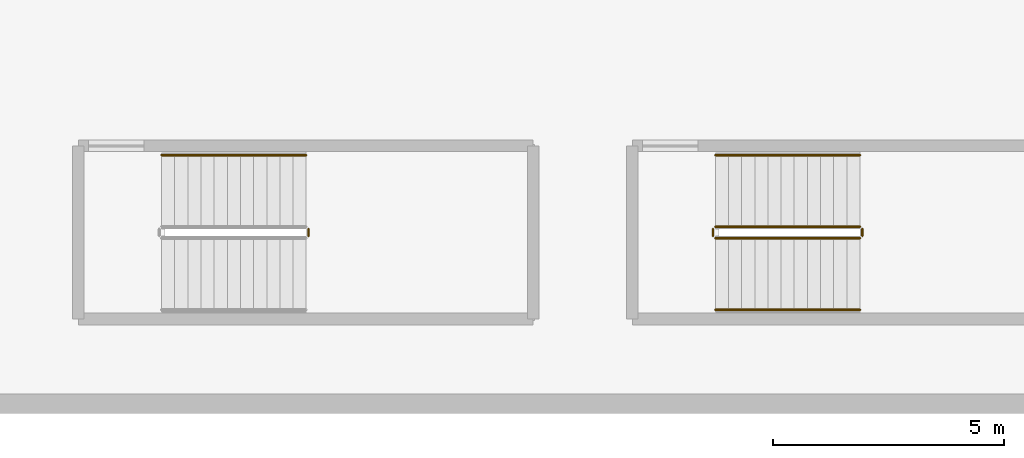
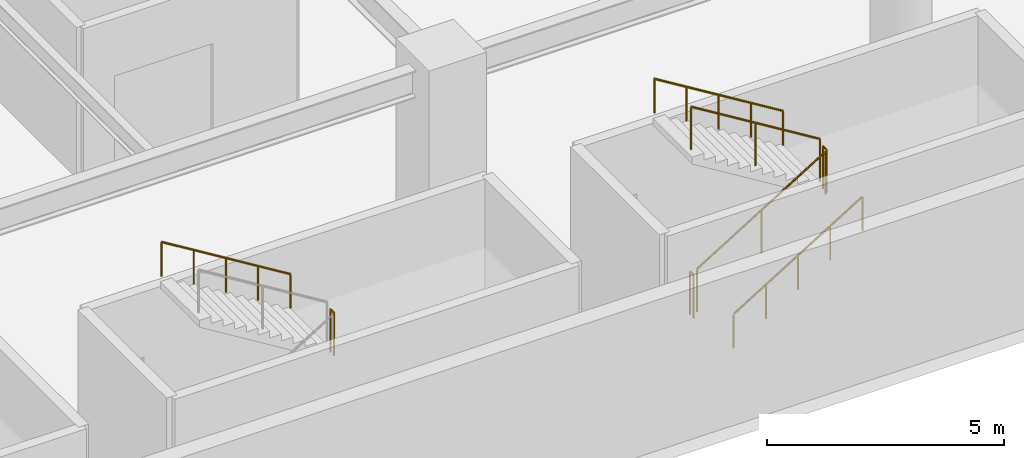
# One storey, part 20 of 25: 8 railings.
"""IFC4 building model written with IfcOpenShell, lengths in metres."""

from ifc_helpers import new_model, si_unit, direction, frame, origin, origin_2d, place, context, subcontext, project, spatial, circle, extrude, material, type_object, element, save


model = new_model("IFC4")

# Units and contexts
model_context = context("Model", 3, precision=1e-05, world=origin(), true_north=direction((0.0, 1.0)))
body_context = subcontext(model_context, "Body", "Model", "MODEL_VIEW")
ifc_project = project(units=[si_unit("LENGTHUNIT", "METRE"), si_unit("AREAUNIT", "SQUARE_METRE"), si_unit("VOLUMEUNIT", "CUBIC_METRE"), si_unit("PLANEANGLEUNIT", "RADIAN"), si_unit("MASSUNIT", "GRAM", prefix="KILO")], contexts=[model_context])

# Site, building, storey
site_placement = place(None, origin())
site = spatial("IfcSite", under=ifc_project, at=site_placement, CompositionType="ELEMENT")
building_placement = place(site_placement, origin())
building = spatial("IfcBuilding", under=site, at=building_placement, Name="Narakoshi Arena Tower", CompositionType="ELEMENT")
storey_placement = place(building_placement, frame((0.0, 0.0, 9.0)))
storey = spatial("IfcBuildingStorey", under=building, at=storey_placement, Name="L02", CompositionType="ELEMENT", Elevation=9.0)

# Railings
ifc_material_1 = material(Name="Clear low-iron laminated structural glass", Category="glass")
railing_type_1 = type_object("IfcRailingType", Name="RL-BAL-1100", PredefinedType="BALUSTRADE", material=ifc_material_1)
railing_1_placement = place(storey_placement, frame((33.8349609375, 3.85009765625, 2.10009765625)))
element("IfcRailing", 1, at=railing_1_placement, inside=storey, type_object=railing_type_1, Name="L02 AST3 stair guard 2", PredefinedType="BALUSTRADE", context=body_context, shape_type="SweptSolid", body=[
    extrude(circle(Radius=0.02392578125, at=origin_2d()), frame((0.0, 0.0, 1.09619140625), z_axis=(0.0, 1.0, 0.0), x_axis=(-1.0, 0.0, 0.0)), (0.0, 0.0, 1.0), 0.14990234375),
    extrude(circle(Radius=0.02099609375, at=origin_2d()), origin(), (0.0, 0.0, 1.0), 1.072021484375),
    extrude(circle(Radius=0.02099609375, at=origin_2d()), frame((0.0, 0.14990234375, 0.0)), (0.0, 0.0, 1.0), 1.072021484375),
])
railing_2_placement = place(storey_placement, frame((42.64990234375, 3.800048828125, 0.175048828125)))
element("IfcRailing", 2, at=railing_2_placement, inside=storey, type_object=railing_type_1, Name="L02 AST4 stair guard 1", PredefinedType="BALUSTRADE", context=body_context, shape_type="SweptSolid", body=[
    extrude(circle(Radius=0.02392578125, at=origin_2d()), frame((0.0, 0.0, 1.09619140625), z_axis=(0.852166034122, 0.0, 0.523271488128), x_axis=(0.0, 1.0, 0.0)), (0.0, 0.0, 1.0), 3.678955078125),
    extrude(circle(Radius=0.02099609375, at=origin_2d()), origin(), (0.0, 0.0, 1.0), 1.072021484375),
    extrude(circle(Radius=0.02099609375, at=origin_2d()), frame((1.5673828125, 0.0, 0.96240234375)), (0.0, 0.0, 1.0), 1.072021484375),
    extrude(circle(Radius=0.02099609375, at=origin_2d()), frame((3.135009765625, 0.0, 1.925048828125)), (0.0, 0.0, 1.0), 1.072021484375),
])
railing_3_placement = place(storey_placement, frame((45.8349609375, 3.85009765625, 2.10009765625)))
element("IfcRailing", 3, at=railing_3_placement, inside=storey, type_object=railing_type_1, Name="L02 AST4 stair guard 2", PredefinedType="BALUSTRADE", context=body_context, shape_type="SweptSolid", body=[
    extrude(circle(Radius=0.02392578125, at=origin_2d()), frame((0.0, 0.0, 1.09619140625), z_axis=(0.0, 1.0, 0.0), x_axis=(-1.0, 0.0, 0.0)), (0.0, 0.0, 1.0), 0.14990234375),
    extrude(circle(Radius=0.02099609375, at=origin_2d()), origin(), (0.0, 0.0, 1.0), 1.072021484375),
    extrude(circle(Radius=0.02099609375, at=origin_2d()), frame((0.0, 0.14990234375, 0.0)), (0.0, 0.0, 1.0), 1.072021484375),
])
railing_4_placement = place(storey_placement, frame((45.784912109375, 4.050048828125, 2.27490234375)))
element("IfcRailing", 4, at=railing_4_placement, inside=storey, type_object=railing_type_1, Name="L02 AST4 stair guard 3", PredefinedType="BALUSTRADE", context=body_context, shape_type="SweptSolid", body=[
    extrude(circle(Radius=0.02392578125, at=origin_2d()), frame((0.0, 0.0, 1.09619140625), z_axis=(-0.852166034122, 0.0, 0.523271488128), x_axis=(0.0, -1.0, 0.0)), (0.0, 0.0, 1.0), 3.678955078125),
    extrude(circle(Radius=0.02099609375, at=origin_2d()), origin(), (0.0, 0.0, 1.0), 1.072021484375),
    extrude(circle(Radius=0.02099609375, at=origin_2d()), frame((-1.5673828125, 0.0, 0.96240234375)), (0.0, 0.0, 1.0), 1.072021484375),
    extrude(circle(Radius=0.02099609375, at=origin_2d()), frame((-3.135009765625, 0.0, 1.925048828125)), (0.0, 0.0, 1.0), 1.072021484375),
])
railing_5_placement = place(storey_placement, frame((42.60009765625, 3.85009765625, 0.0)))
element("IfcRailing", 5, at=railing_5_placement, inside=storey, type_object=railing_type_1, Name="L02 AST4 stair guard 4", PredefinedType="BALUSTRADE", context=body_context, shape_type="SweptSolid", body=[
    extrude(circle(Radius=0.02392578125, at=origin_2d()), frame((0.0, 0.0, 1.09619140625), z_axis=(0.0, 1.0, 0.0), x_axis=(-1.0, 0.0, 0.0)), (0.0, 0.0, 1.0), 0.14990234375),
    extrude(circle(Radius=0.02099609375, at=origin_2d()), origin(), (0.0, 0.0, 1.0), 1.072021484375),
    extrude(circle(Radius=0.02099609375, at=origin_2d()), frame((0.0, 0.14990234375, 0.0)), (0.0, 0.0, 1.0), 1.072021484375),
])
ifc_material_2 = material(Name="Brushed bronze stainless steel", Category="steel")
railing_type_2 = type_object("IfcRailingType", Name="RL-HND-900", PredefinedType="HANDRAIL", material=ifc_material_2)
railing_6_placement = place(storey_placement, frame((33.784912109375, 5.60009765625, 2.27490234375)))
element("IfcRailing", 6, at=railing_6_placement, inside=storey, type_object=railing_type_2, Name="L02 AST3 stair handrail 2", PredefinedType="HANDRAIL", context=body_context, shape_type="SweptSolid", body=[
    extrude(circle(Radius=0.02392578125, at=origin_2d()), frame((0.0, 0.0, 0.8759765625), z_axis=(-0.852166034122, 0.0, 0.523271488128), x_axis=(0.0, -1.0, 0.0)), (0.0, 0.0, 1.0), 3.678955078125),
    extrude(circle(Radius=0.02099609375, at=origin_2d()), origin(), (0.0, 0.0, 1.0), 0.851806640625),
    extrude(circle(Radius=0.02099609375, at=origin_2d()), frame((-0.78369140625, 0.0, 0.481201171875)), (0.0, 0.0, 1.0), 0.851806640625),
    extrude(circle(Radius=0.02099609375, at=origin_2d()), frame((-1.5673828125, 0.0, 0.96240234375)), (0.0, 0.0, 1.0), 0.851806640625),
    extrude(circle(Radius=0.02099609375, at=origin_2d()), frame((-2.351318359375, 0.0, 1.44384765625)), (0.0, 0.0, 1.0), 0.851806640625),
    extrude(circle(Radius=0.02099609375, at=origin_2d()), frame((-3.135009765625, 0.0, 1.925048828125)), (0.0, 0.0, 1.0), 0.851806640625),
])
railing_7_placement = place(storey_placement, frame((42.64990234375, 2.25, 0.175048828125)))
element("IfcRailing", 7, at=railing_7_placement, inside=storey, type_object=railing_type_2, Name="L02 AST4 stair handrail 1", PredefinedType="HANDRAIL", context=body_context, shape_type="SweptSolid", body=[
    extrude(circle(Radius=0.02392578125, at=origin_2d()), frame((0.0, 0.0, 0.8759765625), z_axis=(0.852166034122, 0.0, 0.523271488128), x_axis=(0.0, 1.0, 0.0)), (0.0, 0.0, 1.0), 3.678955078125),
    extrude(circle(Radius=0.02099609375, at=origin_2d()), origin(), (0.0, 0.0, 1.0), 0.851806640625),
    extrude(circle(Radius=0.02099609375, at=origin_2d()), frame((0.78369140625, 0.0, 0.481201171875)), (0.0, 0.0, 1.0), 0.851806640625),
    extrude(circle(Radius=0.02099609375, at=origin_2d()), frame((1.5673828125, 0.0, 0.96240234375)), (0.0, 0.0, 1.0), 0.851806640625),
    extrude(circle(Radius=0.02099609375, at=origin_2d()), frame((2.351318359375, 0.0, 1.44384765625)), (0.0, 0.0, 1.0), 0.851806640625),
    extrude(circle(Radius=0.02099609375, at=origin_2d()), frame((3.135009765625, 0.0, 1.925048828125)), (0.0, 0.0, 1.0), 0.851806640625),
])
railing_8_placement = place(storey_placement, frame((45.784912109375, 5.60009765625, 2.27490234375)))
element("IfcRailing", 8, at=railing_8_placement, inside=storey, type_object=railing_type_2, Name="L02 AST4 stair handrail 2", PredefinedType="HANDRAIL", context=body_context, shape_type="SweptSolid", body=[
    extrude(circle(Radius=0.02392578125, at=origin_2d()), frame((0.0, 0.0, 0.8759765625), z_axis=(-0.852166034122, 0.0, 0.523271488128), x_axis=(0.0, -1.0, 0.0)), (0.0, 0.0, 1.0), 3.678955078125),
    extrude(circle(Radius=0.02099609375, at=origin_2d()), origin(), (0.0, 0.0, 1.0), 0.851806640625),
    extrude(circle(Radius=0.02099609375, at=origin_2d()), frame((-0.78369140625, 0.0, 0.481201171875)), (0.0, 0.0, 1.0), 0.851806640625),
    extrude(circle(Radius=0.02099609375, at=origin_2d()), frame((-1.5673828125, 0.0, 0.96240234375)), (0.0, 0.0, 1.0), 0.851806640625),
    extrude(circle(Radius=0.02099609375, at=origin_2d()), frame((-2.351318359375, 0.0, 1.44384765625)), (0.0, 0.0, 1.0), 0.851806640625),
    extrude(circle(Radius=0.02099609375, at=origin_2d()), frame((-3.135009765625, 0.0, 1.925048828125)), (0.0, 0.0, 1.0), 0.851806640625),
])

save(model, "model.ifc")
